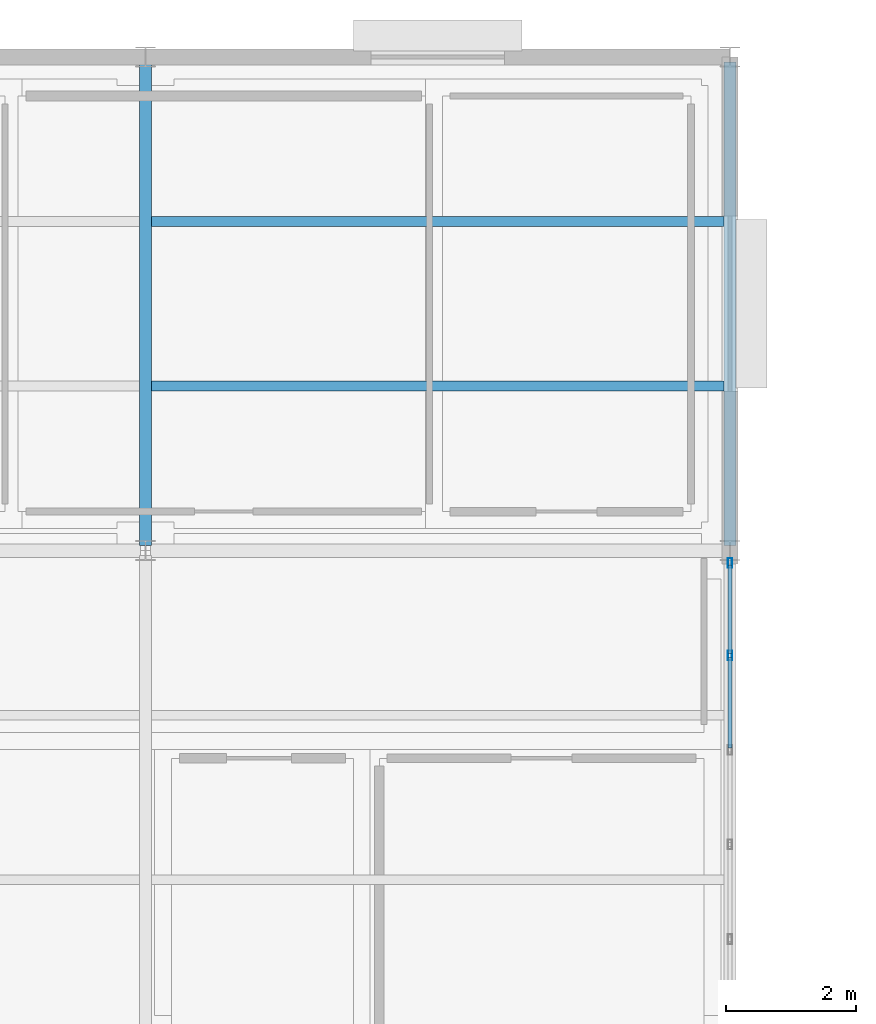
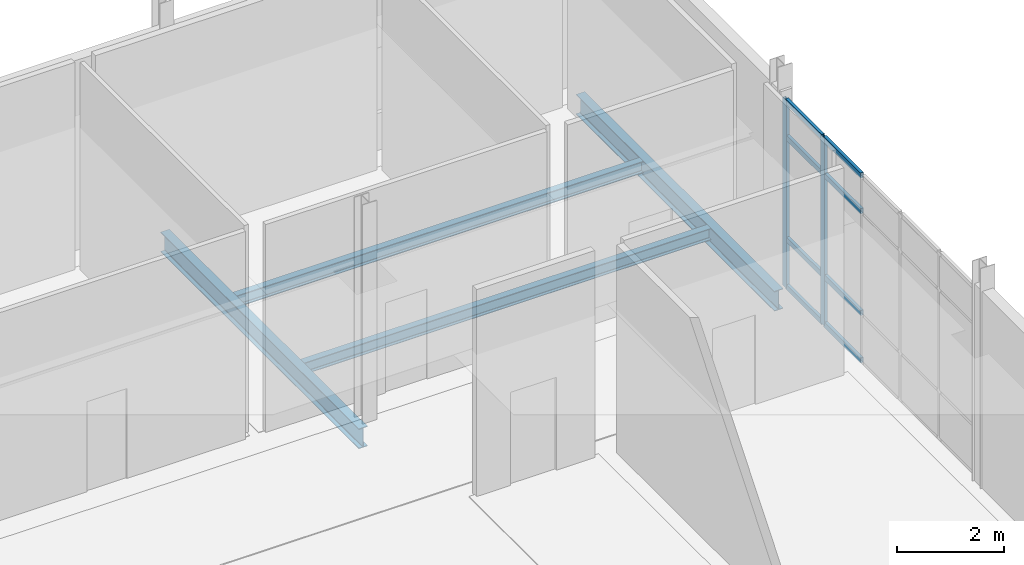
# One storey, part 119 of 161: 10 members, 4 beams, 1 element without a shape of its own.
"""IFC4 building model written with IfcOpenShell, lengths in metres."""

from ifc_helpers import new_model, si_unit, direction, frame, origin, origin_2d, place, context, subcontext, project, spatial, hollow_rectangle, i_section, extrude, material, material_profile, profile_set, type_object, element, aggregate, save


model = new_model("IFC4")

# Units and contexts
model_context = context("Model", 3, precision=1e-05, world=origin(), true_north=direction((0.0, 1.0)))
body_context = subcontext(model_context, "Body", "Model", "MODEL_VIEW")
ifc_project = project(units=[si_unit("LENGTHUNIT", "METRE"), si_unit("AREAUNIT", "SQUARE_METRE"), si_unit("VOLUMEUNIT", "CUBIC_METRE"), si_unit("PLANEANGLEUNIT", "RADIAN"), si_unit("MASSUNIT", "GRAM", prefix="KILO")], contexts=[model_context])

# Site, building, storey
site_placement = place(None, origin())
site = spatial("IfcSite", under=ifc_project, at=site_placement, CompositionType="ELEMENT")
building_placement = place(site_placement, origin())
building = spatial("IfcBuilding", under=site, at=building_placement, Name="Caisbarro Railhouse Central Library", CompositionType="ELEMENT")
storey_placement = place(building_placement, origin())
storey = spatial("IfcBuildingStorey", under=building, at=storey_placement, Name="L00", CompositionType="ELEMENT", Elevation=0.0)

# Beams
ifc_material_1 = material(Name="Steel ASTM A572 Grade 50", Category="steel")
ifc_material_profile_1 = material_profile(ifc_material_1, i_section(OverallWidth=0.18994140625, OverallDepth=0.45703125, WebThickness=0.009033203125, FlangeThickness=0.014404296875, FilletRadius=0.01806640625, at=origin_2d()), Name="W460X74.0")
ifc_profile_set_1 = profile_set([ifc_material_profile_1], Name="Steel ASTM A572 Grade 50")
beam_type_1 = type_object("IfcBeamType", Name="BM-G08", PredefinedType="BEAM", material=ifc_profile_set_1)
for number, where, z_axis, x_axis, name in (
    (1, (144.0, 106.47998046875, -0.478515625), (0.0, 1.0, 0.0), (-1.0, 0.0, 0.0), "G08 beam L00 #549"),
    (2, (153.0, 106.47998046875, -0.478515625), (0.0, 1.0, 0.0), (-1.0, 0.0, 0.0), "G08 beam L00 #556"),
):
    element("IfcBeam", number, at=place(storey_placement, frame(where, z_axis=z_axis, x_axis=x_axis)), inside=storey, type_object=beam_type_1, Name=name, PredefinedType="BEAM", context=body_context, shape_type="SweptSolid", body=[
        extrude(i_section(OverallWidth=0.18994140625, OverallDepth=0.45703125, WebThickness=0.009033203125, FlangeThickness=0.014404296875, FilletRadius=0.01806640625, at=origin_2d()), origin(), (0.0, 0.0, 1.0), 7.43994140625),
    ])
ifc_material_profile_2 = material_profile(ifc_material_1, i_section(OverallWidth=0.14794921875, OverallDepth=0.26611328125, WebThickness=0.007568359375, FlangeThickness=0.012939453125, FilletRadius=0.010009765625, at=origin_2d()), Name="W250X44.8")
ifc_profile_set_2 = profile_set([ifc_material_profile_2], Name="Steel ASTM A572 Grade 50")
beam_type_2 = type_object("IfcBeamType", Name="BM-J04", PredefinedType="JOIST", material=ifc_profile_set_2)
for number, where, z_axis, x_axis, name in (
    (3, (144.094970703125, 108.933349609375, -0.383056640625), (1.0, 0.0, 0.0), (0.0, 1.0, 0.0), "J04 beam L00 #611"),
    (4, (144.094970703125, 111.466796875, -0.383056640625), (1.0, 0.0, 0.0), (0.0, 1.0, 0.0), "J04 beam L00 #612"),
):
    element("IfcBeam", number, at=place(storey_placement, frame(where, z_axis=z_axis, x_axis=x_axis)), inside=storey, type_object=beam_type_2, Name=name, PredefinedType="JOIST", context=body_context, shape_type="SweptSolid", body=[
        extrude(i_section(OverallWidth=0.14794921875, OverallDepth=0.26611328125, WebThickness=0.007568359375, FlangeThickness=0.012939453125, FilletRadius=0.010009765625, at=origin_2d()), origin(), (0.0, 0.0, 1.0), 8.81005859375),
    ])

# Curtain wall, members
ifc_material_2 = material(Name="Anodised architectural aluminium", Category="aluminium")
curtain_wall_type = type_object("IfcCurtainWallType", Name="CW-CW03", PredefinedType="NOTDEFINED", material=ifc_material_2)
curtain_wall_placement = place(storey_placement, origin())
curtain_wall = element("IfcCurtainWall", 5, at=curtain_wall_placement, inside=storey, type_object=curtain_wall_type, Name="CW03 curtain wall L00 #109", PredefinedType="NOTDEFINED")
ifc_material_profile_3 = material_profile(ifc_material_2, hollow_rectangle(XDim=0.06494140625, YDim=0.14990234375, WallThickness=0.00390625, at=origin_2d()), Name="ALU-MUL-65X150")
ifc_profile_set_3 = profile_set([ifc_material_profile_3], Name="Anodised architectural aluminium")
member_type_1 = type_object("IfcMemberType", Name="CWM-M02", PredefinedType="MULLION", material=ifc_profile_set_3)
member_1_placement = place(storey_placement, frame((153.0, 104.783935546875, 0.0), z_axis=(0.0, 0.0, 1.0), x_axis=(-1.0, 0.0, 0.0)))
member_1 = element("IfcMember", 6, at=member_1_placement, type_object=member_type_1, Name="CW03 mullion 5", PredefinedType="MULLION", context=body_context, shape_type="SweptSolid", body=[
    extrude(hollow_rectangle(XDim=0.06494140625, YDim=0.14990234375, WallThickness=0.00390625, at=origin_2d()), origin(), (0.0, 0.0, 1.0), 4.300048828125),
])
member_2_placement = place(storey_placement, frame((153.0, 106.20751953125, 0.0), z_axis=(0.0, 0.0, 1.0), x_axis=(-1.0, 0.0, 0.0)))
member_2 = element("IfcMember", 7, at=member_2_placement, type_object=member_type_1, Name="CW03 mullion 6", PredefinedType="MULLION", context=body_context, shape_type="SweptSolid", body=[
    extrude(hollow_rectangle(XDim=0.06494140625, YDim=0.14990234375, WallThickness=0.00390625, at=origin_2d()), origin(), (0.0, 0.0, 1.0), 4.300048828125),
])
ifc_material_profile_4 = material_profile(ifc_material_2, hollow_rectangle(XDim=0.06494140625, YDim=0.1201171875, WallThickness=0.00341796875, at=origin_2d()), Name="ALU-TRN-65X120")
ifc_profile_set_4 = profile_set([ifc_material_profile_4], Name="Anodised architectural aluminium")
member_type_2 = type_object("IfcMemberType", Name="CWT-T02", PredefinedType="USERDEFINED", material=ifc_profile_set_4)
member_3_placement = place(storey_placement, frame((153.0, 103.360595703125, 0.032470703125), z_axis=(0.0, 1.0, 0.0), x_axis=(-1.0, 0.0, 0.0)))
member_3 = element("IfcMember", 8, at=member_3_placement, type_object=member_type_2, Name="CW03 transom 4.1", ObjectType="TRANSOM", PredefinedType="USERDEFINED", context=body_context, shape_type="SweptSolid", body=[
    extrude(hollow_rectangle(XDim=0.06494140625, YDim=0.1201171875, WallThickness=0.00341796875, at=origin_2d()), origin(), (0.0, 0.0, 1.0), 1.390869140625),
])
member_4_placement = place(storey_placement, frame((153.0, 103.360595703125, 1.1201171875), z_axis=(0.0, 1.0, 0.0), x_axis=(-1.0, 0.0, 0.0)))
member_4 = element("IfcMember", 9, at=member_4_placement, type_object=member_type_2, Name="CW03 transom 4.2", ObjectType="TRANSOM", PredefinedType="USERDEFINED", context=body_context, shape_type="SweptSolid", body=[
    extrude(hollow_rectangle(XDim=0.06494140625, YDim=0.1201171875, WallThickness=0.00341796875, at=origin_2d()), origin(), (0.0, 0.0, 1.0), 1.390869140625),
])
member_5_placement = place(storey_placement, frame((153.0, 103.360595703125, 3.449951171875), z_axis=(0.0, 1.0, 0.0), x_axis=(-1.0, 0.0, 0.0)))
member_5 = element("IfcMember", 10, at=member_5_placement, type_object=member_type_2, Name="CW03 transom 4.3", ObjectType="TRANSOM", PredefinedType="USERDEFINED", context=body_context, shape_type="SweptSolid", body=[
    extrude(hollow_rectangle(XDim=0.06494140625, YDim=0.1201171875, WallThickness=0.00341796875, at=origin_2d()), origin(), (0.0, 0.0, 1.0), 1.390869140625),
])
member_6_placement = place(storey_placement, frame((153.0, 103.360595703125, 4.267578125), z_axis=(0.0, 1.0, 0.0), x_axis=(-1.0, 0.0, 0.0)))
member_6 = element("IfcMember", 11, at=member_6_placement, type_object=member_type_2, Name="CW03 transom 4.4", ObjectType="TRANSOM", PredefinedType="USERDEFINED", context=body_context, shape_type="SweptSolid", body=[
    extrude(hollow_rectangle(XDim=0.06494140625, YDim=0.1201171875, WallThickness=0.00341796875, at=origin_2d()), origin(), (0.0, 0.0, 1.0), 1.390869140625),
])
member_7_placement = place(storey_placement, frame((153.0, 104.81640625, 0.032470703125), z_axis=(0.0, 1.0, 0.0), x_axis=(-1.0, 0.0, 0.0)))
member_7 = element("IfcMember", 12, at=member_7_placement, type_object=member_type_2, Name="CW03 transom 5.1", ObjectType="TRANSOM", PredefinedType="USERDEFINED", context=body_context, shape_type="SweptSolid", body=[
    extrude(hollow_rectangle(XDim=0.06494140625, YDim=0.1201171875, WallThickness=0.00341796875, at=origin_2d()), origin(), (0.0, 0.0, 1.0), 1.358642578125),
])
member_8_placement = place(storey_placement, frame((153.0, 104.81640625, 1.1201171875), z_axis=(0.0, 1.0, 0.0), x_axis=(-1.0, 0.0, 0.0)))
member_8 = element("IfcMember", 13, at=member_8_placement, type_object=member_type_2, Name="CW03 transom 5.2", ObjectType="TRANSOM", PredefinedType="USERDEFINED", context=body_context, shape_type="SweptSolid", body=[
    extrude(hollow_rectangle(XDim=0.06494140625, YDim=0.1201171875, WallThickness=0.00341796875, at=origin_2d()), origin(), (0.0, 0.0, 1.0), 1.358642578125),
])
member_9_placement = place(storey_placement, frame((153.0, 104.81640625, 3.449951171875), z_axis=(0.0, 1.0, 0.0), x_axis=(-1.0, 0.0, 0.0)))
member_9 = element("IfcMember", 14, at=member_9_placement, type_object=member_type_2, Name="CW03 transom 5.3", ObjectType="TRANSOM", PredefinedType="USERDEFINED", context=body_context, shape_type="SweptSolid", body=[
    extrude(hollow_rectangle(XDim=0.06494140625, YDim=0.1201171875, WallThickness=0.00341796875, at=origin_2d()), origin(), (0.0, 0.0, 1.0), 1.358642578125),
])
member_10_placement = place(storey_placement, frame((153.0, 104.81640625, 4.267578125), z_axis=(0.0, 1.0, 0.0), x_axis=(-1.0, 0.0, 0.0)))
member_10 = element("IfcMember", 15, at=member_10_placement, type_object=member_type_2, Name="CW03 transom 5.4", ObjectType="TRANSOM", PredefinedType="USERDEFINED", context=body_context, shape_type="SweptSolid", body=[
    extrude(hollow_rectangle(XDim=0.06494140625, YDim=0.1201171875, WallThickness=0.00341796875, at=origin_2d()), origin(), (0.0, 0.0, 1.0), 1.358642578125),
])
aggregate(curtain_wall, [member_1, member_2, member_3, member_4, member_5, member_6, member_7, member_8, member_9, member_10])

save(model, "model.ifc")
